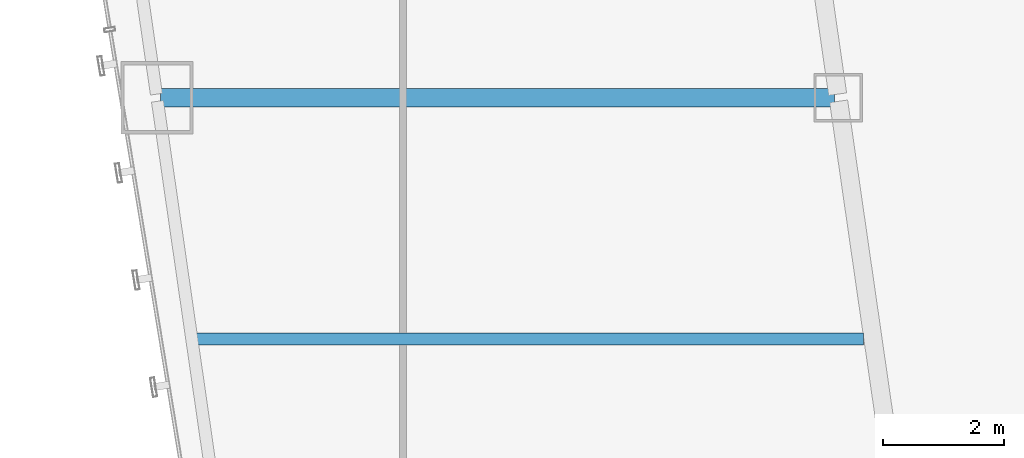
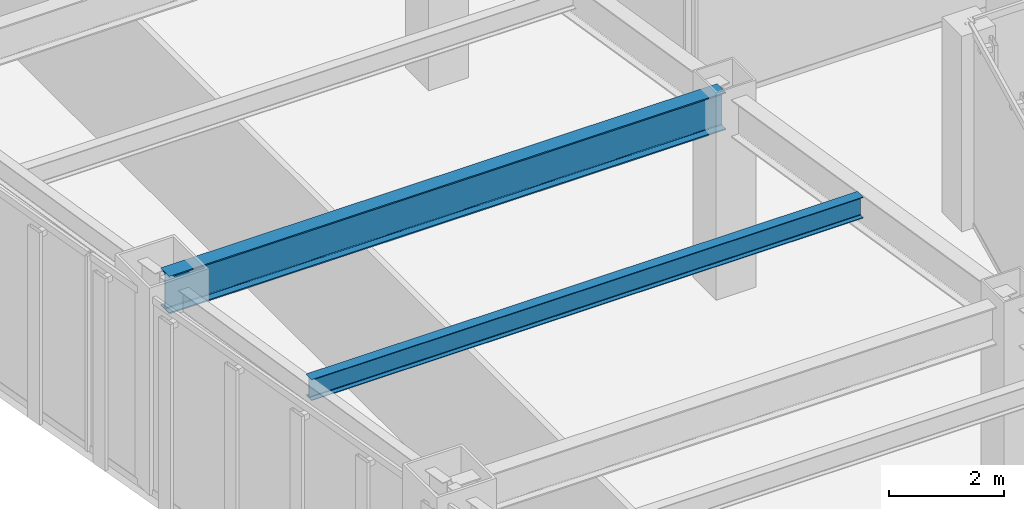
# One storey, part 6 of 47: 2 beams.
"""IFC4 building model written with IfcOpenShell, lengths in metres."""

from ifc_helpers import new_model, si_unit, direction, frame, origin, origin_2d, place, context, subcontext, project, spatial, i_section, extrude, material, material_profile, profile_set, type_object, element, save


model = new_model("IFC4")

# Units and contexts
model_context = context("Model", 3, precision=1e-05, world=origin(), true_north=direction((0.0, 1.0)))
body_context = subcontext(model_context, "Body", "Model", "MODEL_VIEW")
ifc_project = project(units=[si_unit("LENGTHUNIT", "METRE"), si_unit("AREAUNIT", "SQUARE_METRE"), si_unit("VOLUMEUNIT", "CUBIC_METRE"), si_unit("PLANEANGLEUNIT", "RADIAN"), si_unit("MASSUNIT", "GRAM", prefix="KILO")], contexts=[model_context])

# Site, building, storey
site_placement = place(None, origin())
site = spatial("IfcSite", under=ifc_project, at=site_placement, CompositionType="ELEMENT")
building_placement = place(site_placement, origin())
building = spatial("IfcBuilding", under=site, at=building_placement, Name="Saevonmaru Cultural Tower", CompositionType="ELEMENT")
storey_placement = place(building_placement, frame((0.0, 0.0, 60.39990234375)))
storey = spatial("IfcBuildingStorey", under=building, at=storey_placement, Name="L12", CompositionType="ELEMENT", Elevation=60.39990234375)

# Beams
ifc_material_1 = material(Name="Steel SM420", Category="steel")
ifc_material_profile_1 = material_profile(ifc_material_1, i_section(OverallWidth=0.300048828125, OverallDepth=0.800048828125, WebThickness=0.013916015625, FlangeThickness=0.02587890625, FilletRadius=0.028076171875, at=origin_2d()), Name="H-800x300x14x26")
ifc_profile_set_1 = profile_set([ifc_material_profile_1], Name="Steel SM420")
beam_type_1 = type_object("IfcBeamType", Name="BM-G-H800", PredefinedType="BEAM", material=ifc_profile_set_1)
beam_1_placement = place(storey_placement, frame((10.68798828125, 16.0, 3.75), z_axis=(1.0, 0.0, 0.0), x_axis=(0.0, 1.0, 0.0)))
element("IfcBeam", 1, at=beam_1_placement, inside=storey, type_object=beam_type_1, Name="L12 West Wing Transverse Girder 3", PredefinedType="BEAM", context=body_context, shape_type="SweptSolid", body=[
    extrude(i_section(OverallWidth=0.300048828125, OverallDepth=0.800048828125, WebThickness=0.013916015625, FlangeThickness=0.02587890625, FilletRadius=0.028076171875, at=origin_2d()), origin(), (0.0, 0.0, 1.0), 11.179931640625),
])
ifc_material_2 = material(Name="Steel SM355", Category="steel")
ifc_material_profile_2 = material_profile(ifc_material_2, i_section(OverallWidth=0.199951171875, OverallDepth=0.449951171875, WebThickness=0.009033203125, FlangeThickness=0.013916015625, FilletRadius=0.01806640625, at=origin_2d()), Name="H-450x200x9x14")
ifc_profile_set_2 = profile_set([ifc_material_profile_2], Name="Steel SM355")
beam_type_2 = type_object("IfcBeamType", Name="BM-J-H450", PredefinedType="JOIST", material=ifc_profile_set_2)
beam_2_placement = place(storey_placement, frame((11.265380859375, 12.0, 3.925048828125), z_axis=(1.0, 0.0, 0.0), x_axis=(0.0, 1.0, 0.0)))
element("IfcBeam", 2, at=beam_2_placement, inside=storey, type_object=beam_type_2, Name="L12 West Wing Floor Joist 2", PredefinedType="JOIST", context=body_context, shape_type="SweptSolid", body=[
    extrude(i_section(OverallWidth=0.199951171875, OverallDepth=0.449951171875, WebThickness=0.009033203125, FlangeThickness=0.013916015625, FilletRadius=0.01806640625, at=origin_2d()), origin(), (0.0, 0.0, 1.0), 11.08203125),
])

save(model, "model.ifc")
